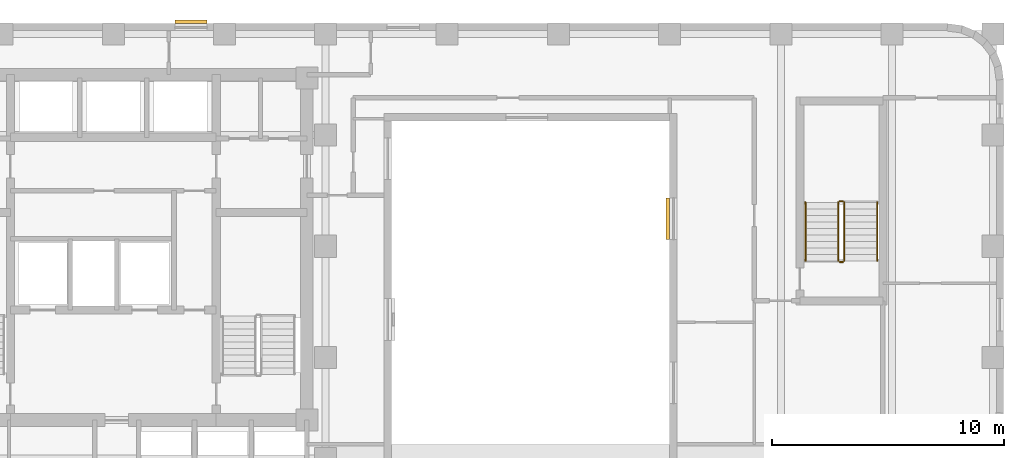
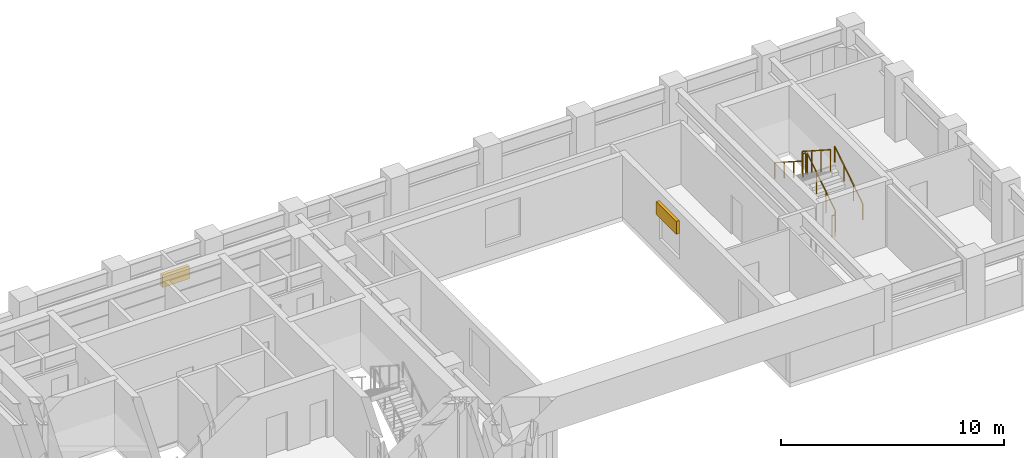
# One storey, part 8 of 8: 6 railings, 2 shading devices.
"""IFC4 building model written with IfcOpenShell, lengths in metres."""

from ifc_helpers import new_model, si_unit, direction, frame, origin, origin_2d, place, context, subcontext, project, spatial, rectangle, extrude, material, type_object, element, save


model = new_model("IFC4")

# Units and contexts
model_context = context("Model", 3, precision=1e-05, world=origin(), true_north=direction((0.0, 1.0)))
body_context = subcontext(model_context, "Body", "Model", "MODEL_VIEW")
ifc_project = project(units=[si_unit("LENGTHUNIT", "METRE"), si_unit("AREAUNIT", "SQUARE_METRE"), si_unit("VOLUMEUNIT", "CUBIC_METRE"), si_unit("PLANEANGLEUNIT", "RADIAN"), si_unit("MASSUNIT", "GRAM", prefix="KILO")], contexts=[model_context])

# Site, building, storey
site_placement = place(None, origin())
site = spatial("IfcSite", under=ifc_project, at=site_placement, CompositionType="ELEMENT")
building_placement = place(site_placement, origin())
building = spatial("IfcBuilding", under=site, at=building_placement, Name="Orvandelia Arch Residences", CompositionType="ELEMENT")
storey_placement = place(building_placement, frame((0.0, 0.0, 107.199951171875)))
storey = spatial("IfcBuildingStorey", under=building, at=storey_placement, Name="L27", CompositionType="ELEMENT", Elevation=107.199951171875)

# Railings
ifc_material_1 = material(Name="Brushed Stainless Steel 304", Category="steel")
railing_type_1 = type_object("IfcRailingType", Name="RL-STAIR-GD1120", PredefinedType="GUARDRAIL", material=ifc_material_1)
railing_1_placement = place(storey_placement, frame((45.929931640625, 37.77001953125, 0.179931640625)))
element("IfcRailing", 1, at=railing_1_placement, inside=storey, type_object=railing_type_1, Name="L27 ST-3 stair guard 1", PredefinedType="GUARDRAIL", context=body_context, shape_type="SweptSolid", body=[
    extrude(rectangle(XDim=0.048095703125, YDim=0.048095703125, at=origin_2d()), frame((0.0, 0.0, 1.17578125), z_axis=(0.0, 0.841162588446, 0.540782303519), x_axis=(-1.0, 0.0, 0.0)), (0.0, 0.0, 1.0), 2.995849609375),
    extrude(rectangle(XDim=0.0419921875, YDim=0.0419921875, at=origin_2d()), origin(), (0.0, 0.0, 1.0), 1.15185546875),
    extrude(rectangle(XDim=0.0419921875, YDim=0.0419921875, at=origin_2d()), frame((0.0, 0.840087890625, 0.5400390625)), (0.0, 0.0, 1.0), 1.15185546875),
    extrude(rectangle(XDim=0.0419921875, YDim=0.0419921875, at=origin_2d()), frame((0.0, 1.679931640625, 1.080078125)), (0.0, 0.0, 1.0), 1.15185546875),
    extrude(rectangle(XDim=0.0419921875, YDim=0.0419921875, at=origin_2d()), frame((0.0, 2.52001953125, 1.6201171875)), (0.0, 0.0, 1.0), 1.15185546875),
])
railing_2_placement = place(storey_placement, frame((45.8798828125, 40.340087890625, 1.800048828125)))
element("IfcRailing", 2, at=railing_2_placement, inside=storey, type_object=railing_type_1, Name="L27 ST-3 stair guard 2", PredefinedType="GUARDRAIL", context=body_context, shape_type="SweptSolid", body=[
    extrude(rectangle(XDim=0.048095703125, YDim=0.048095703125, at=origin_2d()), frame((0.0, 0.0, 1.17578125), z_axis=(-1.0, 0.0, 0.0), x_axis=(0.0, -1.0, 0.0)), (0.0, 0.0, 1.0), 0.14990234375),
    extrude(rectangle(XDim=0.0419921875, YDim=0.0419921875, at=origin_2d()), origin(), (0.0, 0.0, 1.0), 1.15185546875),
    extrude(rectangle(XDim=0.0419921875, YDim=0.0419921875, at=origin_2d()), frame((-0.14990234375, 0.0, 0.0)), (0.0, 0.0, 1.0), 1.15185546875),
])
railing_3_placement = place(storey_placement, frame((45.679931640625, 40.2900390625, 1.97998046875)))
element("IfcRailing", 3, at=railing_3_placement, inside=storey, type_object=railing_type_1, Name="L27 ST-3 stair guard 3", PredefinedType="GUARDRAIL", context=body_context, shape_type="SweptSolid", body=[
    extrude(rectangle(XDim=0.048095703125, YDim=0.048095703125, at=origin_2d()), frame((0.0, 0.0, 1.17578125), z_axis=(0.0, -0.841162588446, 0.540782303519), x_axis=(1.0, 0.0, 0.0)), (0.0, 0.0, 1.0), 2.995849609375),
    extrude(rectangle(XDim=0.0419921875, YDim=0.0419921875, at=origin_2d()), origin(), (0.0, 0.0, 1.0), 1.15185546875),
    extrude(rectangle(XDim=0.0419921875, YDim=0.0419921875, at=origin_2d()), frame((0.0, -0.840087890625, 0.5400390625)), (0.0, 0.0, 1.0), 1.15185546875),
    extrude(rectangle(XDim=0.0419921875, YDim=0.0419921875, at=origin_2d()), frame((0.0, -1.679931640625, 1.080078125)), (0.0, 0.0, 1.0), 1.15185546875),
    extrude(rectangle(XDim=0.0419921875, YDim=0.0419921875, at=origin_2d()), frame((0.0, -2.52001953125, 1.6201171875)), (0.0, 0.0, 1.0), 1.15185546875),
])
railing_4_placement = place(storey_placement, frame((45.8798828125, 37.719970703125, 0.0)))
element("IfcRailing", 4, at=railing_4_placement, inside=storey, type_object=railing_type_1, Name="L27 ST-3 stair guard 4", PredefinedType="GUARDRAIL", context=body_context, shape_type="SweptSolid", body=[
    extrude(rectangle(XDim=0.048095703125, YDim=0.048095703125, at=origin_2d()), frame((0.0, 0.0, 1.17578125), z_axis=(-1.0, 0.0, 0.0), x_axis=(0.0, -1.0, 0.0)), (0.0, 0.0, 1.0), 0.14990234375),
    extrude(rectangle(XDim=0.0419921875, YDim=0.0419921875, at=origin_2d()), origin(), (0.0, 0.0, 1.0), 1.15185546875),
    extrude(rectangle(XDim=0.0419921875, YDim=0.0419921875, at=origin_2d()), frame((-0.14990234375, 0.0, 0.0)), (0.0, 0.0, 1.0), 1.15185546875),
])
railing_type_2 = type_object("IfcRailingType", Name="RL-STAIR-HR920", PredefinedType="HANDRAIL", material=ifc_material_1)
railing_5_placement = place(storey_placement, frame((47.35009765625, 37.77001953125, 0.360107421875)))
element("IfcRailing", 5, at=railing_5_placement, inside=storey, type_object=railing_type_2, Name="L27 ST-3 stair handrail 1", PredefinedType="HANDRAIL", context=body_context, shape_type="SweptSolid", body=[
    extrude(rectangle(XDim=0.048095703125, YDim=0.048095703125, at=origin_2d()), frame((0.0, 0.0, 0.8759765625), z_axis=(0.0, 0.841199657755, 0.540724639528), x_axis=(-1.0, 0.0, 0.0)), (0.0, 0.0, 1.0), 2.995849609375),
    extrude(rectangle(XDim=0.0419921875, YDim=0.0419921875, at=origin_2d()), origin(), (0.0, 0.0, 1.0), 0.851806640625),
    extrude(rectangle(XDim=0.0419921875, YDim=0.0419921875, at=origin_2d()), frame((0.0, 0.840087890625, 0.5400390625)), (0.0, 0.0, 1.0), 0.851806640625),
    extrude(rectangle(XDim=0.0419921875, YDim=0.0419921875, at=origin_2d()), frame((0.0, 1.679931640625, 1.079833984375)), (0.0, 0.0, 1.0), 0.851806640625),
    extrude(rectangle(XDim=0.0419921875, YDim=0.0419921875, at=origin_2d()), frame((0.0, 2.52001953125, 1.619873046875)), (0.0, 0.0, 1.0), 0.851806640625),
])
railing_6_placement = place(storey_placement, frame((44.260009765625, 40.2900390625, 2.16015625)))
element("IfcRailing", 6, at=railing_6_placement, inside=storey, type_object=railing_type_2, Name="L27 ST-3 stair handrail 2", PredefinedType="HANDRAIL", context=body_context, shape_type="SweptSolid", body=[
    extrude(rectangle(XDim=0.048095703125, YDim=0.048095703125, at=origin_2d()), frame((0.0, 0.0, 0.8759765625), z_axis=(0.0, -0.841199657755, 0.540724639528), x_axis=(1.0, 0.0, 0.0)), (0.0, 0.0, 1.0), 2.995849609375),
    extrude(rectangle(XDim=0.0419921875, YDim=0.0419921875, at=origin_2d()), origin(), (0.0, 0.0, 1.0), 0.851806640625),
    extrude(rectangle(XDim=0.0419921875, YDim=0.0419921875, at=origin_2d()), frame((0.0, -0.840087890625, 0.5400390625)), (0.0, 0.0, 1.0), 0.851806640625),
    extrude(rectangle(XDim=0.0419921875, YDim=0.0419921875, at=origin_2d()), frame((0.0, -1.679931640625, 1.079833984375)), (0.0, 0.0, 1.0), 0.851806640625),
    extrude(rectangle(XDim=0.0419921875, YDim=0.0419921875, at=origin_2d()), frame((0.0, -2.52001953125, 1.619873046875)), (0.0, 0.0, 1.0), 0.851806640625),
])

# Shading devices
ifc_material_2 = material(Name="Anodised Champagne-Bronze Extruded Aluminium", Category="aluminium")
shading_device_type = type_object("IfcShadingDeviceType", Name="SHD-JALOUSIE-SCREEN", PredefinedType="JALOUSIE", material=ifc_material_2)
shading_device_1_placement = place(storey_placement, frame((17.75244140625, 48.080078125, 1.05029296875), z_axis=(0.0, 0.0, 1.0), x_axis=(1.0, 0.0, 0.0)))
element("IfcShadingDevice", 7, at=shading_device_1_placement, inside=storey, type_object=shading_device_type, Name="Bronze Jalousie Sun-Shade L27-001", PredefinedType="JALOUSIE", context=body_context, shape_type="SweptSolid", body=[
    extrude(rectangle(XDim=1.39990234375, YDim=0.159912109375, at=origin_2d()), origin(), (0.0, 0.0, 1.0), 0.699951171875),
])
shading_device_2_placement = place(storey_placement, frame((38.320068359375, 39.590087890625, 2.2001953125), z_axis=(0.0, 0.0, 1.0), x_axis=(0.0, 1.0, 0.0)))
element("IfcShadingDevice", 8, at=shading_device_2_placement, inside=storey, type_object=shading_device_type, Name="Bronze Jalousie Sun-Shade L27-002", PredefinedType="JALOUSIE", context=body_context, shape_type="SweptSolid", body=[
    extrude(rectangle(XDim=1.800048828125, YDim=0.159912109375, at=origin_2d()), origin(), (0.0, 0.0, 1.0), 0.699951171875),
])

save(model, "model.ifc")
